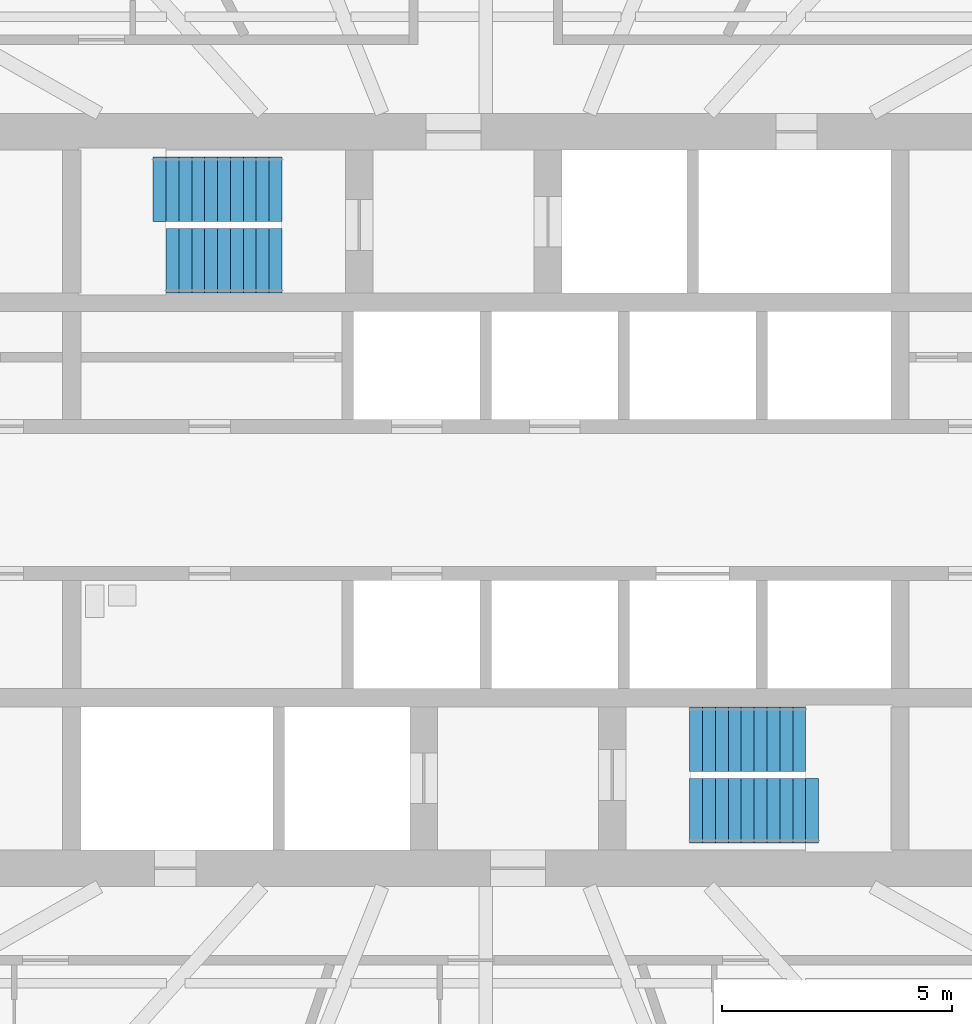
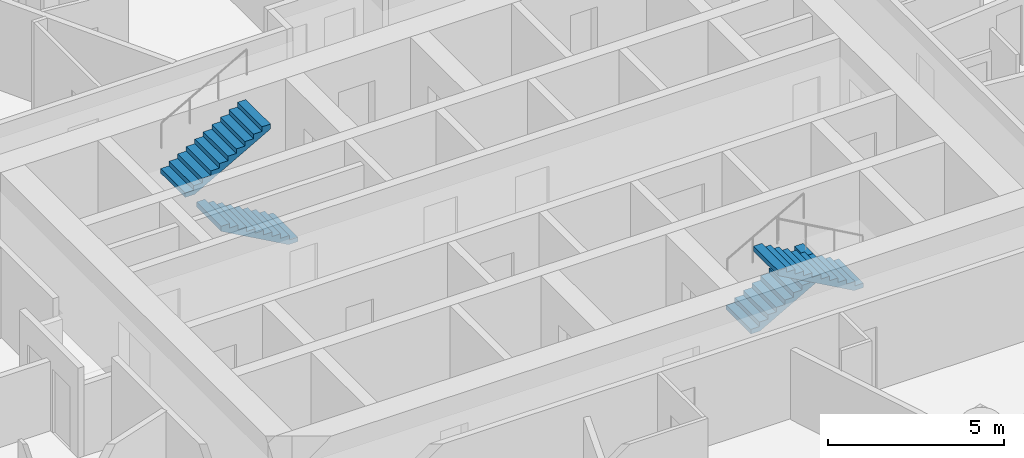
# One storey, part 14 of 16: 4 stair flights, 2 elements without a shape of their own.
"""IFC4 building model written with IfcOpenShell, lengths in metres."""

from ifc_helpers import new_model, si_unit, direction, frame, origin, place, context, subcontext, project, spatial, polyline, outline, extrude, material, type_object, element, aggregate, save


model = new_model("IFC4")

# Units and contexts
model_context = context("Model", 3, precision=1e-05, world=origin(), true_north=direction((0.0, 1.0)))
body_context = subcontext(model_context, "Body", "Model", "MODEL_VIEW")
ifc_project = project(units=[si_unit("LENGTHUNIT", "METRE"), si_unit("AREAUNIT", "SQUARE_METRE"), si_unit("VOLUMEUNIT", "CUBIC_METRE"), si_unit("PLANEANGLEUNIT", "RADIAN"), si_unit("MASSUNIT", "GRAM", prefix="KILO")], contexts=[model_context])

# Site, building, storey
site_placement = place(None, origin())
site = spatial("IfcSite", under=ifc_project, at=site_placement, CompositionType="ELEMENT")
building_placement = place(site_placement, origin())
building = spatial("IfcBuilding", under=site, at=building_placement, Name="Hankou Lantern Tower", CompositionType="ELEMENT")
storey_placement = place(building_placement, frame((0.0, 0.0, 169.800048828125)))
storey = spatial("IfcBuildingStorey", under=building, at=storey_placement, Name="L45", CompositionType="ELEMENT", Elevation=169.800048828125)

# Stair, stair flight
ifc_material_1 = material(Name="Concrete C40", Category="concrete")
stair_type = type_object("IfcStairType", Name="ST33 CORE STAIR 3300 RISE", PredefinedType="HALF_TURN_STAIR", material=ifc_material_1)
stair_1_placement = place(storey_placement, origin())
stair_1 = element("IfcStair", 1, at=stair_1_placement, inside=storey, type_object=stair_type, Name="Stair STA L45", PredefinedType="HALF_TURN_STAIR")
ifc_material_2 = material(Name="Concrete C40", Category="concrete")
stair_flight_type_1 = type_object("IfcStairFlightType", Name="CF10 CORE STAIR FLIGHT 1400 X 10 RISERS", PredefinedType="STRAIGHT", material=ifc_material_2)
stair_flight_1_placement = place(storey_placement, frame((-4.429931640625, 5.199951171875, 0.0), z_axis=(0.0, 0.0, 1.0), x_axis=(-1.0, 0.0, 0.0)))
stair_flight_1 = element("IfcStairFlight", 2, at=stair_flight_1_placement, type_object=stair_flight_type_1, Name="STA flight 1", NumberOfRisers=10, NumberOfTreads=9, PredefinedType="STRAIGHT", RiserHeight=0.157142857, TreadLength=0.28, context=body_context, shape_type="SweptSolid", body=[
    extrude(outline(polyline([(0.0, 0.0), (0.0, 0.1572265625), (0.280029296875, 0.1572265625), (0.280029296875, 0.314208984375), (0.56005859375, 0.314208984375), (0.56005859375, 0.471435546875), (0.840087890625, 0.471435546875), (0.840087890625, 0.628662109375), (1.1201171875, 0.628662109375), (1.1201171875, 0.78564453125), (1.39990234375, 0.78564453125), (1.39990234375, 0.94287109375), (1.679931640625, 0.94287109375), (1.679931640625, 1.10009765625), (1.9599609375, 1.10009765625), (1.9599609375, 1.257080078125), (2.239990234375, 1.257080078125), (2.239990234375, 1.414306640625), (2.52001953125, 1.414306640625), (2.52001953125, 1.571533203125), (2.52001953125, 1.242431640625), (0.306396484375, 0.0), (0.0, 0.0)])), frame((0.0, 0.699951171875, 0.0), z_axis=(0.0, -1.0, 0.0), x_axis=(1.0, 0.0, 0.0)), (0.0, 0.0, 1.0), 1.39990234375),
])

stair_2_placement = place(storey_placement, origin())
stair_2 = element("IfcStair", 3, at=stair_2_placement, inside=storey, type_object=stair_type, Name="Stair STB L45", PredefinedType="HALF_TURN_STAIR")
stair_flight_2_placement = place(storey_placement, frame((4.429931640625, -5.199951171875, 0.0), z_axis=(0.0, 0.0, 1.0), x_axis=(1.0, 0.0, 0.0)))
stair_flight_2 = element("IfcStairFlight", 4, at=stair_flight_2_placement, type_object=stair_flight_type_1, Name="STB flight 1", NumberOfRisers=10, NumberOfTreads=9, PredefinedType="STRAIGHT", RiserHeight=0.157142857, TreadLength=0.28, context=body_context, shape_type="SweptSolid", body=[
    extrude(outline(polyline([(0.0, 0.0), (0.0, 0.1572265625), (0.280029296875, 0.1572265625), (0.280029296875, 0.314208984375), (0.56005859375, 0.314208984375), (0.56005859375, 0.471435546875), (0.840087890625, 0.471435546875), (0.840087890625, 0.628662109375), (1.1201171875, 0.628662109375), (1.1201171875, 0.78564453125), (1.39990234375, 0.78564453125), (1.39990234375, 0.94287109375), (1.679931640625, 0.94287109375), (1.679931640625, 1.10009765625), (1.9599609375, 1.10009765625), (1.9599609375, 1.257080078125), (2.239990234375, 1.257080078125), (2.239990234375, 1.414306640625), (2.52001953125, 1.414306640625), (2.52001953125, 1.571533203125), (2.52001953125, 1.242431640625), (0.306396484375, 0.0), (0.0, 0.0)])), frame((0.0, 0.699951171875, 0.0), z_axis=(0.0, -1.0, 0.0), x_axis=(1.0, 0.0, 0.0)), (0.0, 0.0, 1.0), 1.39990234375),
])

# Stair flight
ifc_material_3 = material(Name="Concrete C40", Category="concrete")
stair_flight_type_2 = type_object("IfcStairFlightType", Name="CF11 CORE STAIR FLIGHT 1400 X 11 RISERS", PredefinedType="STRAIGHT", material=ifc_material_3)
stair_flight_3_placement = place(storey_placement, frame((-7.22998046875, 6.75, 1.5712890625), z_axis=(0.0, 0.0, 1.0), x_axis=(1.0, 0.0, 0.0)))
stair_flight_3 = element("IfcStairFlight", 5, at=stair_flight_3_placement, type_object=stair_flight_type_2, Name="STA flight 2", NumberOfRisers=11, NumberOfTreads=10, PredefinedType="STRAIGHT", RiserHeight=0.157142857, TreadLength=0.28, context=body_context, shape_type="SweptSolid", body=[
    extrude(outline(polyline([(0.0, 0.0), (0.0, 0.1572265625), (0.280029296875, 0.1572265625), (0.280029296875, 0.314208984375), (0.56005859375, 0.314208984375), (0.56005859375, 0.471435546875), (0.840087890625, 0.471435546875), (0.840087890625, 0.628662109375), (1.1201171875, 0.628662109375), (1.1201171875, 0.78564453125), (1.39990234375, 0.78564453125), (1.39990234375, 0.94287109375), (1.679931640625, 0.94287109375), (1.679931640625, 1.10009765625), (1.9599609375, 1.10009765625), (1.9599609375, 1.257080078125), (2.239990234375, 1.257080078125), (2.239990234375, 1.414306640625), (2.52001953125, 1.414306640625), (2.52001953125, 1.571533203125), (2.800048828125, 1.571533203125), (2.800048828125, 1.728515625), (2.800048828125, 1.3994140625), (0.306396484375, 0.0), (0.0, 0.0)])), frame((0.0, 0.699951171875, 0.0), z_axis=(0.0, -1.0, 0.0), x_axis=(1.0, 0.0, 0.0)), (0.0, 0.0, 1.0), 1.39990234375),
])

aggregate(stair_1, [stair_flight_1, stair_flight_3])

stair_flight_4_placement = place(storey_placement, frame((7.22998046875, -6.75, 1.5712890625), z_axis=(0.0, 0.0, 1.0), x_axis=(-1.0, 0.0, 0.0)))
stair_flight_4 = element("IfcStairFlight", 6, at=stair_flight_4_placement, type_object=stair_flight_type_2, Name="STB flight 2", NumberOfRisers=11, NumberOfTreads=10, PredefinedType="STRAIGHT", RiserHeight=0.157142857, TreadLength=0.28, context=body_context, shape_type="SweptSolid", body=[
    extrude(outline(polyline([(0.0, 0.0), (0.0, 0.1572265625), (0.280029296875, 0.1572265625), (0.280029296875, 0.314208984375), (0.56005859375, 0.314208984375), (0.56005859375, 0.471435546875), (0.840087890625, 0.471435546875), (0.840087890625, 0.628662109375), (1.1201171875, 0.628662109375), (1.1201171875, 0.78564453125), (1.39990234375, 0.78564453125), (1.39990234375, 0.94287109375), (1.679931640625, 0.94287109375), (1.679931640625, 1.10009765625), (1.9599609375, 1.10009765625), (1.9599609375, 1.257080078125), (2.239990234375, 1.257080078125), (2.239990234375, 1.414306640625), (2.52001953125, 1.414306640625), (2.52001953125, 1.571533203125), (2.800048828125, 1.571533203125), (2.800048828125, 1.728515625), (2.800048828125, 1.3994140625), (0.306396484375, 0.0), (0.0, 0.0)])), frame((0.0, 0.699951171875, 0.0), z_axis=(0.0, -1.0, 0.0), x_axis=(1.0, 0.0, 0.0)), (0.0, 0.0, 1.0), 1.39990234375),
])

aggregate(stair_2, [stair_flight_2, stair_flight_4])

save(model, "model.ifc")
